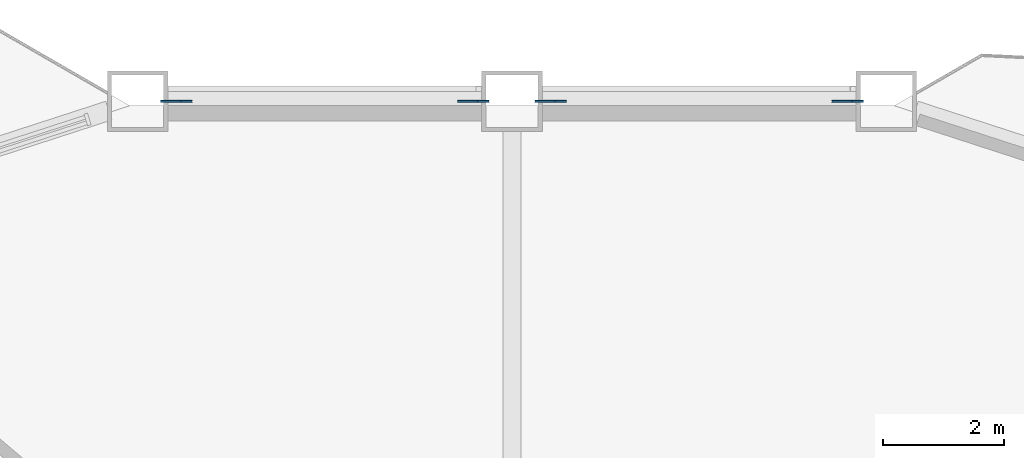
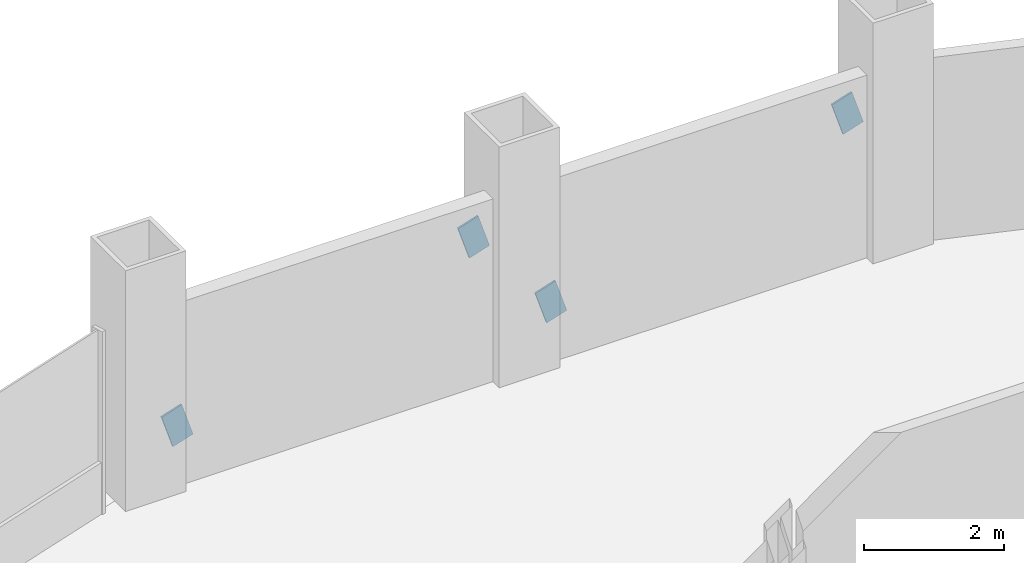
# One storey, part 16 of 21: 4 discrete accessories.
"""IFC4 building model written with IfcOpenShell, lengths in metres."""

from ifc_helpers import new_model, si_unit, direction, frame, origin, origin_2d, place, context, subcontext, project, spatial, rectangle, extrude, material, material_profile, profile_set, type_object, element, save


model = new_model("IFC4")

# Units and contexts
model_context = context("Model", 3, precision=1e-05, world=origin(), true_north=direction((0.0, 1.0)))
body_context = subcontext(model_context, "Body", "Model", "MODEL_VIEW")
ifc_project = project(units=[si_unit("LENGTHUNIT", "METRE"), si_unit("AREAUNIT", "SQUARE_METRE"), si_unit("VOLUMEUNIT", "CUBIC_METRE"), si_unit("PLANEANGLEUNIT", "RADIAN"), si_unit("MASSUNIT", "GRAM", prefix="KILO")], contexts=[model_context])

# Site, building, storey
site_placement = place(None, origin())
site = spatial("IfcSite", under=ifc_project, at=site_placement, CompositionType="ELEMENT")
building_placement = place(site_placement, origin())
building = spatial("IfcBuilding", under=site, at=building_placement, Name="Cormorant Prow Tower", CompositionType="ELEMENT")
storey_placement = place(building_placement, frame((0.0, 0.0, 76.199951171875)))
storey = spatial("IfcBuildingStorey", under=building, at=storey_placement, Name="L16", CompositionType="ELEMENT", Elevation=76.199951171875)

# Discrete accessories
ifc_material = material(Name="Structural steel ASTM A500 Gr C", Category="steel")
ifc_material_profile = material_profile(ifc_material, rectangle(XDim=0.031982421875, YDim=0.60791015625, at=origin_2d()), Name="Gusset plate 32x608")
ifc_profile_set = profile_set([ifc_material_profile], Name="Structural steel ASTM A500 Gr C")
discrete_accessory_type = type_object("IfcDiscreteAccessoryType", Name="Gusset plate 32x608", PredefinedType="BRACKET", material=ifc_profile_set)
for number, where, z_axis, x_axis, name in (
    (1, (0.80419921875, 32.233642578125, 0.859375), (-0.951708617761, 0.0, -0.307002779923), (0.0, -1.0, 0.0), "Gusset plate GP1 L16.N00.g0"),
    (2, (5.365478515625, 32.233642578125, 2.32958984375), (0.951708617761, 0.0, 0.307002779923), (0.0, 1.0, 0.0), "Gusset plate GP1 L16.N00.g1"),
    (3, (-5.365478515625, 32.233642578125, 0.859375), (-0.951708617761, 0.0, -0.307002779923), (0.0, -1.0, 0.0), "Gusset plate GP1 L16.N01.g0"),
    (4, (-0.80419921875, 32.233642578125, 2.32958984375), (0.951708617761, 0.0, 0.307002779923), (0.0, 1.0, 0.0), "Gusset plate GP1 L16.N01.g1"),
):
    element("IfcDiscreteAccessory", number, at=place(storey_placement, frame(where, z_axis=z_axis, x_axis=x_axis)), inside=storey, type_object=discrete_accessory_type, Name=name, PredefinedType="BRACKET", context=body_context, shape_type="SweptSolid", body=[
        extrude(rectangle(XDim=0.031982421875, YDim=0.60791015625, at=origin_2d()), origin(), (0.0, 0.0, 1.0), 0.349853515625),
    ])

save(model, "model.ifc")
